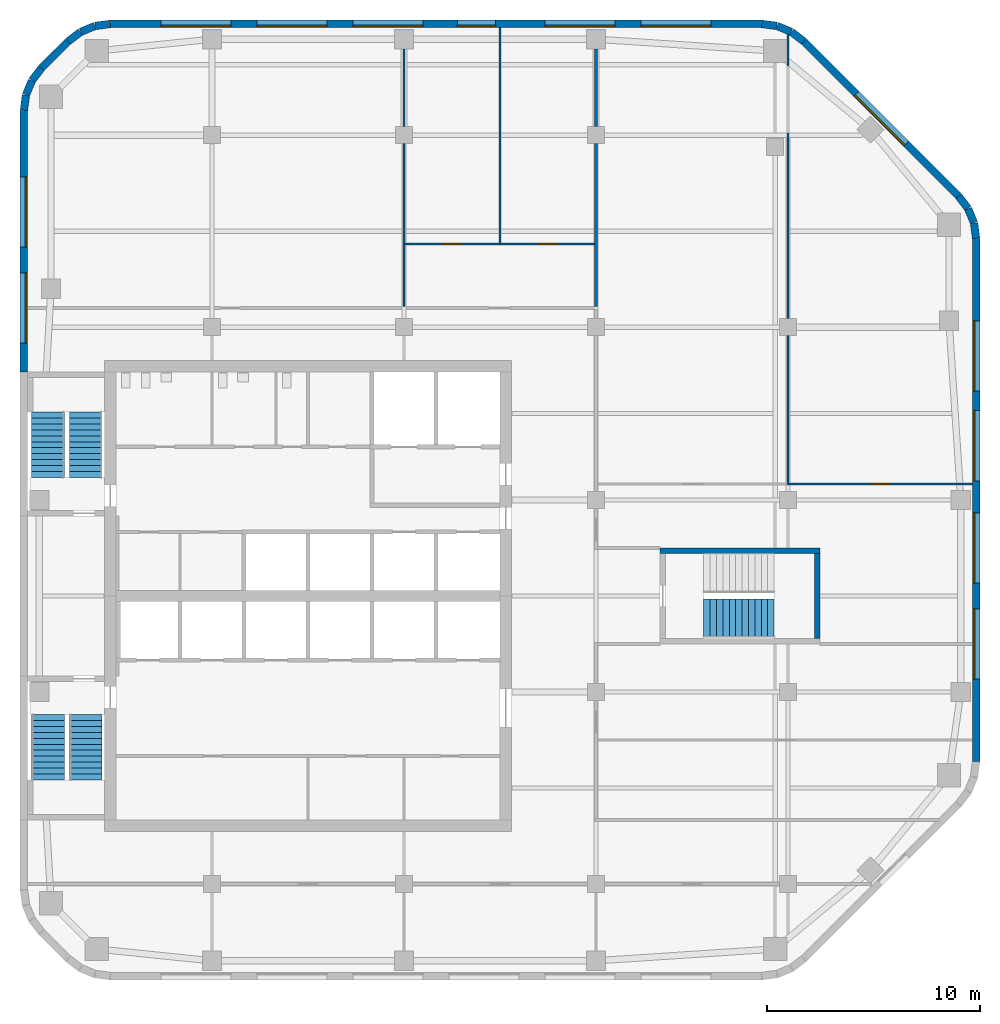
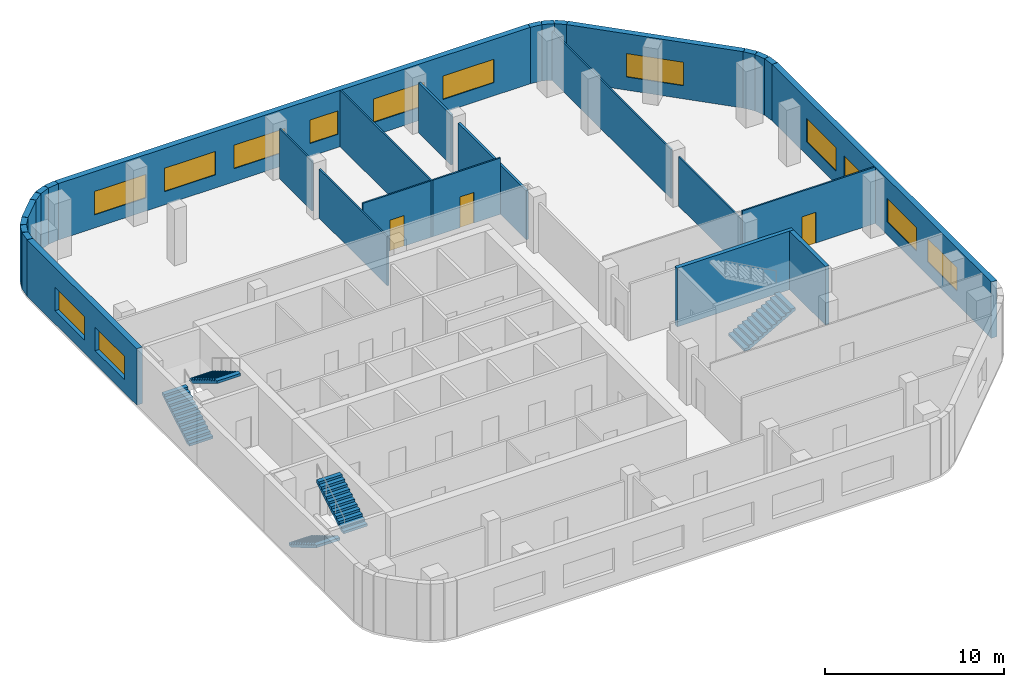
# One storey, part 5 of 8: 29 walls, 13 windows, 5 stair flights, 3 doors, 16 openings, 3 elements without a shape of their own.
"""IFC4 building model written with IfcOpenShell, lengths in metres."""

from ifc_helpers import new_model, si_unit, direction, frame, frame_2d, origin, place, context, subcontext, project, spatial, polyline, rectangle, outline, extrude, material, layer, layer_set, type_object, element, fill, aggregate, save


model = new_model("IFC4")

# Units and contexts
model_context = context("Model", 3, precision=1e-05, world=origin(), true_north=direction((0.0, 1.0)))
body_context = subcontext(model_context, "Body", "Model", "MODEL_VIEW")
ifc_project = project(units=[si_unit("LENGTHUNIT", "METRE"), si_unit("AREAUNIT", "SQUARE_METRE"), si_unit("VOLUMEUNIT", "CUBIC_METRE"), si_unit("PLANEANGLEUNIT", "RADIAN"), si_unit("MASSUNIT", "GRAM", prefix="KILO")], contexts=[model_context])

# Site, building, storey
site_placement = place(None, origin())
site = spatial("IfcSite", under=ifc_project, at=site_placement, CompositionType="ELEMENT")
building_placement = place(site_placement, origin())
building = spatial("IfcBuilding", under=site, at=building_placement, Name="Cinnabar Reach Civic Tower", CompositionType="ELEMENT")
storey_placement = place(building_placement, frame((0.0, 0.0, 210.0)))
storey = spatial("IfcBuildingStorey", under=building, at=storey_placement, Name="L50", CompositionType="ELEMENT", Elevation=210.0)

# Walls
ifc_material_1 = material(Name="Facing brick with insulated backing", Category="masonry")
ifc_layer_1 = layer(ifc_material_1, 0.36)
ifc_layer_set_1 = layer_set([ifc_layer_1], Name="Brick corner wall")
wall_type_1 = type_object("IfcWallType", Name="Brick corner wall", PredefinedType="STANDARD", material=ifc_layer_set_1)
for number, where, z_axis, x_axis, name in (
    (1, (44.817, 48.2686, 0.0), (0.0, 0.0, 1.0), (-0.13055608231, 0.99144092581, 0.0), "Brick corner wall"),
    (2, (44.7181, 48.9973, 0.0), (0.0, 0.0, 1.0), (-0.382702709855, 0.923871547278, 0.0), "Brick corner wall"),
):
    element("IfcWall", number, at=place(storey_placement, frame(where, z_axis=z_axis, x_axis=x_axis)), inside=storey, type_object=wall_type_1, Name=name, PredefinedType="STANDARD", context=body_context, shape_type="SweptSolid", body=[
        extrude(rectangle(XDim=0.7131, YDim=0.36, at=frame_2d((0.3565, 0.0))), origin(), (0.0, 0.0, 1.0), 3.85),
    ])
for number, where, z_axis, x_axis, name in (
    (3, (44.434, 49.6755, 0.0), (0.0, 0.0, 1.0), (-0.608802368033, 0.793321924995, 0.0), "Brick corner wall"),
    (4, (36.7413, 57.4998, 0.0), (0.0, 0.0, 1.0), (-0.793321924995, 0.608802368033, 0.0), "Brick corner wall"),
):
    element("IfcWall", number, at=place(storey_placement, frame(where, z_axis=z_axis, x_axis=x_axis)), inside=storey, type_object=wall_type_1, Name=name, PredefinedType="STANDARD", context=body_context, shape_type="SweptSolid", body=[
        extrude(rectangle(XDim=0.7132, YDim=0.36, at=frame_2d((0.3566, 0.0))), origin(), (0.0, 0.0, 1.0), 3.85),
    ])
for number, where, z_axis, x_axis, name in (
    (5, (36.1561, 57.9452, 0.0), (0.0, 0.0, 1.0), (-0.923871547278, 0.382702709855, 0.0), "Brick corner wall"),
    (6, (35.4756, 58.2239, 0.0), (0.0, 0.0, 1.0), (-0.99144092581, 0.13055608231, 0.0), "Brick corner wall"),
    (7, (4.2314, 58.317, 0.0), (0.0, 0.0, 1.0), (-0.99144092581, -0.13055608231, 0.0), "Brick corner wall"),
    (8, (3.5027, 58.2181, 0.0), (0.0, 0.0, 1.0), (-0.923871547278, -0.382702709855, 0.0), "Brick corner wall"),
):
    element("IfcWall", number, at=place(storey_placement, frame(where, z_axis=z_axis, x_axis=x_axis)), inside=storey, type_object=wall_type_1, Name=name, PredefinedType="STANDARD", context=body_context, shape_type="SweptSolid", body=[
        extrude(rectangle(XDim=0.7131, YDim=0.36, at=frame_2d((0.3565, 0.0))), origin(), (0.0, 0.0, 1.0), 3.85),
    ])
for number, where, z_axis, x_axis, name in (
    (9, (2.8245, 57.934, 0.0), (0.0, 0.0, 1.0), (-0.793321924995, -0.608802368033, 0.0), "Brick corner wall"),
    (10, (1.0002, 56.2413, 0.0), (0.0, 0.0, 1.0), (-0.608802368033, -0.793321924995, 0.0), "Brick corner wall"),
):
    element("IfcWall", number, at=place(storey_placement, frame(where, z_axis=z_axis, x_axis=x_axis)), inside=storey, type_object=wall_type_1, Name=name, PredefinedType="STANDARD", context=body_context, shape_type="SweptSolid", body=[
        extrude(rectangle(XDim=0.7132, YDim=0.36, at=frame_2d((0.3566, 0.0))), origin(), (0.0, 0.0, 1.0), 3.85),
    ])
for number, where, z_axis, x_axis, name in (
    (11, (0.5548, 55.6561, 0.0), (0.0, 0.0, 1.0), (-0.382702709855, -0.923871547278, 0.0), "Brick corner wall"),
    (12, (0.2761, 54.9756, 0.0), (0.0, 0.0, 1.0), (-0.13055608231, -0.99144092581, 0.0), "Brick corner wall"),
):
    element("IfcWall", number, at=place(storey_placement, frame(where, z_axis=z_axis, x_axis=x_axis)), inside=storey, type_object=wall_type_1, Name=name, PredefinedType="STANDARD", context=body_context, shape_type="SweptSolid", body=[
        extrude(rectangle(XDim=0.7131, YDim=0.36, at=frame_2d((0.3565, 0.0))), origin(), (0.0, 0.0, 1.0), 3.85),
    ])

# Wall, openings, windows
ifc_layer_2 = layer(ifc_material_1, 0.36)
ifc_layer_set_2 = layer_set([ifc_layer_2], Name="Brick pier and spandrel wall")
wall_type_2 = type_object("IfcWallType", Name="Brick pier and spandrel wall", PredefinedType="STANDARD", material=ifc_layer_set_2)
wall_1_placement = place(storey_placement, frame((44.82, 23.7426, 0.0), z_axis=(0.0, 0.0, 1.0), x_axis=(0.0, 1.0, 0.0)))
wall_1 = element("IfcWall", 13, at=wall_1_placement, inside=storey, type_object=wall_type_2, Name="Brick facade wall", PredefinedType="STANDARD", context=body_context, shape_type="SweptSolid", body=[
    extrude(rectangle(XDim=24.5148, YDim=0.36, at=frame_2d((12.2574, 0.0))), origin(), (0.0, 0.0, 1.0), 3.85),
])
opening_1_placement = place(wall_1_placement, frame((3.8574, 0.0, 0.9)))
opening_1 = element("IfcOpeningElement", 14, at=opening_1_placement, cuts=wall_1, Name="Opening W2027", PredefinedType="OPENING", context=body_context, shape_type="SweptSolid", body=[
    extrude(rectangle(XDim=3.3, YDim=1.6, at=frame_2d((1.65, 0.8))), frame((0.0, 0.19, 0.0), z_axis=(0.0, -1.0, 0.0), x_axis=(1.0, 0.0, 0.0)), (0.0, 0.0, 1.0), 0.38),
])
opening_2_placement = place(wall_1_placement, frame((8.3574, 0.0, 0.9)))
opening_2 = element("IfcOpeningElement", 15, at=opening_2_placement, cuts=wall_1, Name="Opening W2028", PredefinedType="OPENING", context=body_context, shape_type="SweptSolid", body=[
    extrude(rectangle(XDim=3.3, YDim=1.6, at=frame_2d((1.65, 0.8))), frame((0.0, 0.19, 0.0), z_axis=(0.0, -1.0, 0.0), x_axis=(1.0, 0.0, 0.0)), (0.0, 0.0, 1.0), 0.38),
])
opening_3_placement = place(wall_1_placement, frame((13.1574, 0.0, 0.9)))
opening_3 = element("IfcOpeningElement", 16, at=opening_3_placement, cuts=wall_1, Name="Opening W2029", PredefinedType="OPENING", context=body_context, shape_type="SweptSolid", body=[
    extrude(rectangle(XDim=3.3, YDim=1.6, at=frame_2d((1.65, 0.8))), frame((0.0, 0.19, 0.0), z_axis=(0.0, -1.0, 0.0), x_axis=(1.0, 0.0, 0.0)), (0.0, 0.0, 1.0), 0.38),
])
opening_4_placement = place(wall_1_placement, frame((17.3574, 0.0, 0.9)))
opening_4 = element("IfcOpeningElement", 17, at=opening_4_placement, cuts=wall_1, Name="Opening W2030", PredefinedType="OPENING", context=body_context, shape_type="SweptSolid", body=[
    extrude(rectangle(XDim=3.3, YDim=1.6, at=frame_2d((1.65, 0.8))), frame((0.0, 0.19, 0.0), z_axis=(0.0, -1.0, 0.0), x_axis=(1.0, 0.0, 0.0)), (0.0, 0.0, 1.0), 0.38),
])
ifc_material_2 = material(Name="Clear double glazing in aluminium frame", Category="aluminium")
window_type_1 = type_object("IfcWindowType", Name="Deep-set window A", PartitioningType="SINGLE_PANEL", PredefinedType="WINDOW", material=ifc_material_2)
window_1_placement = place(opening_1_placement, origin())
window_1 = element("IfcWindow", 18, at=window_1_placement, inside=storey, type_object=window_type_1, Name="Window east face", OverallHeight=1.6, OverallWidth=3.3, PartitioningType="SINGLE_PANEL", PredefinedType="WINDOW", context=body_context, shape_type="SweptSolid", body=[
    extrude(rectangle(XDim=3.3, YDim=1.6, at=frame_2d((1.65, 0.8))), frame((0.0, 0.13, 0.0), z_axis=(0.0, -1.0, 0.0), x_axis=(1.0, 0.0, 0.0)), (0.0, 0.0, 1.0), 0.06),
])
fill(opening_1, window_1)
window_2_placement = place(opening_2_placement, origin())
window_2 = element("IfcWindow", 19, at=window_2_placement, inside=storey, type_object=window_type_1, Name="Window east face", OverallHeight=1.6, OverallWidth=3.3, PartitioningType="SINGLE_PANEL", PredefinedType="WINDOW", context=body_context, shape_type="SweptSolid", body=[
    extrude(rectangle(XDim=3.3, YDim=1.6, at=frame_2d((1.65, 0.8))), frame((0.0, 0.13, 0.0), z_axis=(0.0, -1.0, 0.0), x_axis=(1.0, 0.0, 0.0)), (0.0, 0.0, 1.0), 0.06),
])
fill(opening_2, window_2)
window_3_placement = place(opening_3_placement, origin())
window_3 = element("IfcWindow", 20, at=window_3_placement, inside=storey, type_object=window_type_1, Name="Window east face", OverallHeight=1.6, OverallWidth=3.3, PartitioningType="SINGLE_PANEL", PredefinedType="WINDOW", context=body_context, shape_type="SweptSolid", body=[
    extrude(rectangle(XDim=3.3, YDim=1.6, at=frame_2d((1.65, 0.8))), frame((0.0, 0.13, 0.0), z_axis=(0.0, -1.0, 0.0), x_axis=(1.0, 0.0, 0.0)), (0.0, 0.0, 1.0), 0.06),
])
fill(opening_3, window_3)
window_4_placement = place(opening_4_placement, origin())
window_4 = element("IfcWindow", 21, at=window_4_placement, inside=storey, type_object=window_type_1, Name="Window east face", OverallHeight=1.6, OverallWidth=3.3, PartitioningType="SINGLE_PANEL", PredefinedType="WINDOW", context=body_context, shape_type="SweptSolid", body=[
    extrude(rectangle(XDim=3.3, YDim=1.6, at=frame_2d((1.65, 0.8))), frame((0.0, 0.13, 0.0), z_axis=(0.0, -1.0, 0.0), x_axis=(1.0, 0.0, 0.0)), (0.0, 0.0, 1.0), 0.06),
])
fill(opening_4, window_4)

# Wall, opening, window
wall_2_placement = place(storey_placement, frame((43.994, 50.2514, 0.0), z_axis=(0.0, 0.0, 1.0), x_axis=(-0.707106781187, 0.707106781187, 0.0)))
wall_2 = element("IfcWall", 22, at=wall_2_placement, inside=storey, type_object=wall_type_2, Name="Brick facade wall", PredefinedType="STANDARD", context=body_context, shape_type="SweptSolid", body=[
    extrude(rectangle(XDim=10.2426, YDim=0.36, at=frame_2d((5.1213, 0.0))), origin(), (0.0, 0.0, 1.0), 3.85),
])
opening_5_placement = place(wall_2_placement, frame((3.4713, 0.0, 0.9)))
opening_5 = element("IfcOpeningElement", 23, at=opening_5_placement, cuts=wall_2, Name="Opening W2031", PredefinedType="OPENING", context=body_context, shape_type="SweptSolid", body=[
    extrude(rectangle(XDim=3.3, YDim=1.6, at=frame_2d((1.65, 0.8))), frame((0.0, 0.19, 0.0), z_axis=(0.0, -1.0, 0.0), x_axis=(1.0, 0.0, 0.0)), (0.0, 0.0, 1.0), 0.38),
])
window_5_placement = place(opening_5_placement, origin())
window_5 = element("IfcWindow", 24, at=window_5_placement, inside=storey, type_object=window_type_1, Name="Window northeast face", OverallHeight=1.6, OverallWidth=3.3, PartitioningType="SINGLE_PANEL", PredefinedType="WINDOW", context=body_context, shape_type="SweptSolid", body=[
    extrude(rectangle(XDim=3.3, YDim=1.6, at=frame_2d((1.65, 0.8))), frame((0.0, 0.13, 0.0), z_axis=(0.0, -1.0, 0.0), x_axis=(1.0, 0.0, 0.0)), (0.0, 0.0, 1.0), 0.06),
])
fill(opening_5, window_5)

# Wall, openings, windows
wall_3_placement = place(storey_placement, frame((34.7574, 58.32, 0.0), z_axis=(0.0, 0.0, 1.0), x_axis=(-1.0, 0.0, 0.0)))
wall_3 = element("IfcWall", 25, at=wall_3_placement, inside=storey, type_object=wall_type_2, Name="Brick facade wall", PredefinedType="STANDARD", context=body_context, shape_type="SweptSolid", body=[
    extrude(rectangle(XDim=30.5148, YDim=0.36, at=frame_2d((15.2574, 0.0))), origin(), (0.0, 0.0, 1.0), 3.85),
])
opening_6_placement = place(wall_3_placement, frame((2.3574, 0.0, 0.9)))
opening_6 = element("IfcOpeningElement", 26, at=opening_6_placement, cuts=wall_3, Name="Opening W2032", PredefinedType="OPENING", context=body_context, shape_type="SweptSolid", body=[
    extrude(rectangle(XDim=3.3, YDim=1.6, at=frame_2d((1.65, 0.8))), frame((0.0, 0.19, 0.0), z_axis=(0.0, -1.0, 0.0), x_axis=(1.0, 0.0, 0.0)), (0.0, 0.0, 1.0), 0.38),
])
opening_7_placement = place(wall_3_placement, frame((6.8574, 0.0, 0.9)))
opening_7 = element("IfcOpeningElement", 27, at=opening_7_placement, cuts=wall_3, Name="Opening W2033", PredefinedType="OPENING", context=body_context, shape_type="SweptSolid", body=[
    extrude(rectangle(XDim=3.3, YDim=1.6, at=frame_2d((1.65, 0.8))), frame((0.0, 0.19, 0.0), z_axis=(0.0, -1.0, 0.0), x_axis=(1.0, 0.0, 0.0)), (0.0, 0.0, 1.0), 0.38),
])
opening_8_placement = place(wall_3_placement, frame((12.4574, 0.0, 0.9)))
opening_8 = element("IfcOpeningElement", 28, at=opening_8_placement, cuts=wall_3, Name="Opening W2034", PredefinedType="OPENING", context=body_context, shape_type="SweptSolid", body=[
    extrude(rectangle(XDim=1.8, YDim=1.6, at=frame_2d((0.9, 0.8))), frame((0.0, 0.19, 0.0), z_axis=(0.0, -1.0, 0.0), x_axis=(1.0, 0.0, 0.0)), (0.0, 0.0, 1.0), 0.38),
])
opening_9_placement = place(wall_3_placement, frame((15.8574, 0.0, 0.9)))
opening_9 = element("IfcOpeningElement", 29, at=opening_9_placement, cuts=wall_3, Name="Opening W2035", PredefinedType="OPENING", context=body_context, shape_type="SweptSolid", body=[
    extrude(rectangle(XDim=3.3, YDim=1.6, at=frame_2d((1.65, 0.8))), frame((0.0, 0.19, 0.0), z_axis=(0.0, -1.0, 0.0), x_axis=(1.0, 0.0, 0.0)), (0.0, 0.0, 1.0), 0.38),
])
opening_10_placement = place(wall_3_placement, frame((20.3574, 0.0, 0.9)))
opening_10 = element("IfcOpeningElement", 30, at=opening_10_placement, cuts=wall_3, Name="Opening W2036", PredefinedType="OPENING", context=body_context, shape_type="SweptSolid", body=[
    extrude(rectangle(XDim=3.3, YDim=1.6, at=frame_2d((1.65, 0.8))), frame((0.0, 0.19, 0.0), z_axis=(0.0, -1.0, 0.0), x_axis=(1.0, 0.0, 0.0)), (0.0, 0.0, 1.0), 0.38),
])
opening_11_placement = place(wall_3_placement, frame((24.8574, 0.0, 0.9)))
opening_11 = element("IfcOpeningElement", 31, at=opening_11_placement, cuts=wall_3, Name="Opening W2037", PredefinedType="OPENING", context=body_context, shape_type="SweptSolid", body=[
    extrude(rectangle(XDim=3.3, YDim=1.6, at=frame_2d((1.65, 0.8))), frame((0.0, 0.19, 0.0), z_axis=(0.0, -1.0, 0.0), x_axis=(1.0, 0.0, 0.0)), (0.0, 0.0, 1.0), 0.38),
])
window_6_placement = place(opening_6_placement, origin())
window_6 = element("IfcWindow", 32, at=window_6_placement, inside=storey, type_object=window_type_1, Name="Window north face", OverallHeight=1.6, OverallWidth=3.3, PartitioningType="SINGLE_PANEL", PredefinedType="WINDOW", context=body_context, shape_type="SweptSolid", body=[
    extrude(rectangle(XDim=3.3, YDim=1.6, at=frame_2d((1.65, 0.8))), frame((0.0, 0.13, 0.0), z_axis=(0.0, -1.0, 0.0), x_axis=(1.0, 0.0, 0.0)), (0.0, 0.0, 1.0), 0.06),
])
fill(opening_6, window_6)
window_7_placement = place(opening_7_placement, origin())
window_7 = element("IfcWindow", 33, at=window_7_placement, inside=storey, type_object=window_type_1, Name="Window north face", OverallHeight=1.6, OverallWidth=3.3, PartitioningType="SINGLE_PANEL", PredefinedType="WINDOW", context=body_context, shape_type="SweptSolid", body=[
    extrude(rectangle(XDim=3.3, YDim=1.6, at=frame_2d((1.65, 0.8))), frame((0.0, 0.13, 0.0), z_axis=(0.0, -1.0, 0.0), x_axis=(1.0, 0.0, 0.0)), (0.0, 0.0, 1.0), 0.06),
])
fill(opening_7, window_7)
window_8_placement = place(opening_9_placement, origin())
window_8 = element("IfcWindow", 34, at=window_8_placement, inside=storey, type_object=window_type_1, Name="Window north face", OverallHeight=1.6, OverallWidth=3.3, PartitioningType="SINGLE_PANEL", PredefinedType="WINDOW", context=body_context, shape_type="SweptSolid", body=[
    extrude(rectangle(XDim=3.3, YDim=1.6, at=frame_2d((1.65, 0.8))), frame((0.0, 0.13, 0.0), z_axis=(0.0, -1.0, 0.0), x_axis=(1.0, 0.0, 0.0)), (0.0, 0.0, 1.0), 0.06),
])
fill(opening_9, window_8)
window_9_placement = place(opening_10_placement, origin())
window_9 = element("IfcWindow", 35, at=window_9_placement, inside=storey, type_object=window_type_1, Name="Window north face", OverallHeight=1.6, OverallWidth=3.3, PartitioningType="SINGLE_PANEL", PredefinedType="WINDOW", context=body_context, shape_type="SweptSolid", body=[
    extrude(rectangle(XDim=3.3, YDim=1.6, at=frame_2d((1.65, 0.8))), frame((0.0, 0.13, 0.0), z_axis=(0.0, -1.0, 0.0), x_axis=(1.0, 0.0, 0.0)), (0.0, 0.0, 1.0), 0.06),
])
fill(opening_10, window_9)
window_10_placement = place(opening_11_placement, origin())
window_10 = element("IfcWindow", 36, at=window_10_placement, inside=storey, type_object=window_type_1, Name="Window north face", OverallHeight=1.6, OverallWidth=3.3, PartitioningType="SINGLE_PANEL", PredefinedType="WINDOW", context=body_context, shape_type="SweptSolid", body=[
    extrude(rectangle(XDim=3.3, YDim=1.6, at=frame_2d((1.65, 0.8))), frame((0.0, 0.13, 0.0), z_axis=(0.0, -1.0, 0.0), x_axis=(1.0, 0.0, 0.0)), (0.0, 0.0, 1.0), 0.06),
])
fill(opening_11, window_10)
window_type_2 = type_object("IfcWindowType", Name="Deep-set window D", PartitioningType="SINGLE_PANEL", PredefinedType="WINDOW", material=ifc_material_2)
window_11_placement = place(opening_8_placement, origin())
window_11 = element("IfcWindow", 37, at=window_11_placement, inside=storey, type_object=window_type_2, Name="Window north face", OverallHeight=1.6, OverallWidth=1.8, PartitioningType="SINGLE_PANEL", PredefinedType="WINDOW", context=body_context, shape_type="SweptSolid", body=[
    extrude(rectangle(XDim=1.8, YDim=1.6, at=frame_2d((0.9, 0.8))), frame((0.0, 0.13, 0.0), z_axis=(0.0, -1.0, 0.0), x_axis=(1.0, 0.0, 0.0)), (0.0, 0.0, 1.0), 0.06),
])
fill(opening_8, window_11)

# Wall
wall_4_placement = place(storey_placement, frame((2.2486, 57.494, 0.0), z_axis=(0.0, 0.0, 1.0), x_axis=(-0.707106781187, -0.707106781187, 0.0)))
element("IfcWall", 38, at=wall_4_placement, inside=storey, type_object=wall_type_2, Name="Brick facade wall", PredefinedType="STANDARD", context=body_context, shape_type="SweptSolid", body=[
    extrude(rectangle(XDim=1.7573, YDim=0.36, at=frame_2d((0.8787, 0.0))), origin(), (0.0, 0.0, 1.0), 3.85),
])

# Wall, openings, windows
wall_5_placement = place(storey_placement, frame((0.18, 54.2574, 0.0), z_axis=(0.0, 0.0, 1.0), x_axis=(0.0, -1.0, 0.0)))
wall_5 = element("IfcWall", 39, at=wall_5_placement, inside=storey, type_object=wall_type_2, Name="Brick facade wall", PredefinedType="STANDARD", context=body_context, shape_type="SweptSolid", body=[
    extrude(rectangle(XDim=12.2574, YDim=0.36, at=frame_2d((6.1287, 0.0))), origin(), (0.0, 0.0, 1.0), 3.85),
])
opening_12_placement = place(wall_5_placement, frame((3.1074, 0.0, 0.9)))
opening_12 = element("IfcOpeningElement", 40, at=opening_12_placement, cuts=wall_5, Name="Opening W2038", PredefinedType="OPENING", context=body_context, shape_type="SweptSolid", body=[
    extrude(rectangle(XDim=3.3, YDim=1.6, at=frame_2d((1.65, 0.8))), frame((0.0, 0.19, 0.0), z_axis=(0.0, -1.0, 0.0), x_axis=(1.0, 0.0, 0.0)), (0.0, 0.0, 1.0), 0.38),
])
opening_13_placement = place(wall_5_placement, frame((7.6074, 0.0, 0.9)))
opening_13 = element("IfcOpeningElement", 41, at=opening_13_placement, cuts=wall_5, Name="Opening W2039", PredefinedType="OPENING", context=body_context, shape_type="SweptSolid", body=[
    extrude(rectangle(XDim=3.3, YDim=1.6, at=frame_2d((1.65, 0.8))), frame((0.0, 0.19, 0.0), z_axis=(0.0, -1.0, 0.0), x_axis=(1.0, 0.0, 0.0)), (0.0, 0.0, 1.0), 0.38),
])
window_12_placement = place(opening_12_placement, origin())
window_12 = element("IfcWindow", 42, at=window_12_placement, inside=storey, type_object=window_type_1, Name="Window west face", OverallHeight=1.6, OverallWidth=3.3, PartitioningType="SINGLE_PANEL", PredefinedType="WINDOW", context=body_context, shape_type="SweptSolid", body=[
    extrude(rectangle(XDim=3.3, YDim=1.6, at=frame_2d((1.65, 0.8))), frame((0.0, 0.13, 0.0), z_axis=(0.0, -1.0, 0.0), x_axis=(1.0, 0.0, 0.0)), (0.0, 0.0, 1.0), 0.06),
])
fill(opening_12, window_12)
window_13_placement = place(opening_13_placement, origin())
window_13 = element("IfcWindow", 43, at=window_13_placement, inside=storey, type_object=window_type_1, Name="Window west face", OverallHeight=1.6, OverallWidth=3.3, PartitioningType="SINGLE_PANEL", PredefinedType="WINDOW", context=body_context, shape_type="SweptSolid", body=[
    extrude(rectangle(XDim=3.3, YDim=1.6, at=frame_2d((1.65, 0.8))), frame((0.0, 0.13, 0.0), z_axis=(0.0, -1.0, 0.0), x_axis=(1.0, 0.0, 0.0)), (0.0, 0.0, 1.0), 0.06),
])
fill(opening_13, window_13)

# Walls
ifc_material_3 = material(Name="Gypsum board on steel studs", Category="steel")
ifc_layer_3 = layer(ifc_material_3, 0.1)
ifc_layer_set_3 = layer_set([ifc_layer_3], Name="Partition wall 100 T1")
wall_type_3 = type_object("IfcWallType", Name="Partition wall 100 T1", PredefinedType="PARTITIONING", material=ifc_layer_set_3)
wall_6_placement = place(storey_placement, frame((36.0, 36.7, 0.0), z_axis=(0.0, 0.0, 1.0), x_axis=(0.0, 1.0, 0.0)))
element("IfcWall", 44, at=wall_6_placement, inside=storey, type_object=wall_type_3, Name="Partition wall 42", PredefinedType="PARTITIONING", context=body_context, shape_type="SweptSolid", body=[
    extrude(rectangle(XDim=7.0, YDim=0.1, at=frame_2d((3.5, 0.0))), origin(), (0.0, 0.0, 1.0), 3.35),
])
wall_7_placement = place(storey_placement, frame((36.0, 44.5, 0.0), z_axis=(0.0, 0.0, 1.0), x_axis=(0.0, 1.0, 0.0)))
element("IfcWall", 45, at=wall_7_placement, inside=storey, type_object=wall_type_3, Name="Partition wall 43", PredefinedType="PARTITIONING", context=body_context, shape_type="SweptSolid", body=[
    extrude(rectangle(XDim=13.315, YDim=0.1, at=frame_2d((6.6575, 0.0))), origin(), (0.0, 0.0, 1.0), 3.35),
])

# Wall, opening, door
wall_8_placement = place(storey_placement, frame((36.05, 36.75, 0.0), z_axis=(0.0, 0.0, 1.0), x_axis=(1.0, 0.0, 0.0)))
wall_8 = element("IfcWall", 46, at=wall_8_placement, inside=storey, type_object=wall_type_3, Name="Partition wall 46", PredefinedType="PARTITIONING", context=body_context, shape_type="SweptSolid", body=[
    extrude(rectangle(XDim=8.59, YDim=0.1, at=frame_2d((4.295, 0.0))), origin(), (0.0, 0.0, 1.0), 3.85),
])
opening_14_placement = place(wall_8_placement, frame((3.85, 0.0, 0.0)))
opening_14 = element("IfcOpeningElement", 47, at=opening_14_placement, cuts=wall_8, Name="Opening D5061", PredefinedType="OPENING", context=body_context, shape_type="SweptSolid", body=[
    extrude(rectangle(XDim=0.9, YDim=2.1, at=frame_2d((0.45, 1.05))), frame((0.0, 0.06, 0.0), z_axis=(0.0, -1.0, 0.0), x_axis=(1.0, 0.0, 0.0)), (0.0, 0.0, 1.0), 0.12),
])
ifc_material_4 = material(Name="Timber door leaf in steel frame", Category="steel")
door_type = type_object("IfcDoorType", Name="Single swing door 900 x 2100 T1", OperationType="SINGLE_SWING_LEFT", PredefinedType="DOOR", material=ifc_material_4)
door_1_placement = place(opening_14_placement, frame((0.9, 0.0, 0.0), z_axis=(0.0, 0.0, 1.0), x_axis=(-1.0, 0.0, 0.0)))
door_1 = element("IfcDoor", 48, at=door_1_placement, inside=storey, type_object=door_type, Name="Door D5061", OperationType="SINGLE_SWING_LEFT", OverallHeight=2.1, OverallWidth=0.9, PredefinedType="DOOR", context=body_context, shape_type="SweptSolid", body=[
    extrude(rectangle(XDim=0.9, YDim=2.1, at=frame_2d((0.45, 1.05))), frame((0.0, 0.025, 0.0), z_axis=(0.0, -1.0, 0.0), x_axis=(1.0, 0.0, 0.0)), (0.0, 0.0, 1.0), 0.05),
])
fill(opening_14, door_1)

# Walls
wall_9_placement = place(storey_placement, frame((18.0, 45.075, 0.0), z_axis=(0.0, 0.0, 1.0), x_axis=(0.0, 1.0, 0.0)))
element("IfcWall", 49, at=wall_9_placement, inside=storey, type_object=wall_type_3, Name="Partition wall 47", PredefinedType="PARTITIONING", context=body_context, shape_type="SweptSolid", body=[
    extrude(rectangle(XDim=7.625, YDim=0.1, at=frame_2d((3.8125, 0.0))), origin(), (0.0, 0.0, 1.0), 3.35),
])
wall_10_placement = place(storey_placement, frame((18.0, 53.5, 0.0), z_axis=(0.0, 0.0, 1.0), x_axis=(0.0, 1.0, 0.0)))
element("IfcWall", 50, at=wall_10_placement, inside=storey, type_object=wall_type_3, Name="Partition wall 48", PredefinedType="PARTITIONING", context=body_context, shape_type="SweptSolid", body=[
    extrude(rectangle(XDim=3.65, YDim=0.1, at=frame_2d((1.825, 0.0))), origin(), (0.0, 0.0, 1.0), 3.41),
])
wall_11_placement = place(storey_placement, frame((22.5, 47.95, 0.0), z_axis=(0.0, 0.0, 1.0), x_axis=(0.0, 1.0, 0.0)))
element("IfcWall", 51, at=wall_11_placement, inside=storey, type_object=wall_type_3, Name="Partition wall 49", PredefinedType="PARTITIONING", context=body_context, shape_type="SweptSolid", body=[
    extrude(rectangle(XDim=10.19, YDim=0.1, at=frame_2d((5.095, 0.0))), origin(), (0.0, 0.0, 1.0), 3.85),
])

# Wall, opening, door
wall_12_placement = place(storey_placement, frame((18.05, 48.0, 0.0), z_axis=(0.0, 0.0, 1.0), x_axis=(1.0, 0.0, 0.0)))
wall_12 = element("IfcWall", 52, at=wall_12_placement, inside=storey, type_object=wall_type_3, Name="Partition wall 50", PredefinedType="PARTITIONING", context=body_context, shape_type="SweptSolid", body=[
    extrude(rectangle(XDim=4.4, YDim=0.1, at=frame_2d((2.2, 0.0))), origin(), (0.0, 0.0, 1.0), 3.85),
])
opening_15_placement = place(wall_12_placement, frame((1.75, 0.0, 0.0)))
opening_15 = element("IfcOpeningElement", 53, at=opening_15_placement, cuts=wall_12, Name="Opening D5069", PredefinedType="OPENING", context=body_context, shape_type="SweptSolid", body=[
    extrude(rectangle(XDim=0.9, YDim=2.1, at=frame_2d((0.45, 1.05))), frame((0.0, 0.06, 0.0), z_axis=(0.0, -1.0, 0.0), x_axis=(1.0, 0.0, 0.0)), (0.0, 0.0, 1.0), 0.12),
])
door_2_placement = place(opening_15_placement, frame((0.9, 0.0, 0.0), z_axis=(0.0, 0.0, 1.0), x_axis=(-1.0, 0.0, 0.0)))
door_2 = element("IfcDoor", 54, at=door_2_placement, inside=storey, type_object=door_type, Name="Door D5069", OperationType="SINGLE_SWING_LEFT", OverallHeight=2.1, OverallWidth=0.9, PredefinedType="DOOR", context=body_context, shape_type="SweptSolid", body=[
    extrude(rectangle(XDim=0.9, YDim=2.1, at=frame_2d((0.45, 1.05))), frame((0.0, 0.025, 0.0), z_axis=(0.0, -1.0, 0.0), x_axis=(1.0, 0.0, 0.0)), (0.0, 0.0, 1.0), 0.05),
])
fill(opening_15, door_2)

wall_13_placement = place(storey_placement, frame((22.55, 48.0, 0.0), z_axis=(0.0, 0.0, 1.0), x_axis=(1.0, 0.0, 0.0)))
wall_13 = element("IfcWall", 55, at=wall_13_placement, inside=storey, type_object=wall_type_3, Name="Partition wall 51", PredefinedType="PARTITIONING", context=body_context, shape_type="SweptSolid", body=[
    extrude(rectangle(XDim=4.375, YDim=0.1, at=frame_2d((2.1875, 0.0))), origin(), (0.0, 0.0, 1.0), 3.85),
])
opening_16_placement = place(wall_13_placement, frame((1.75, 0.0, 0.0)))
opening_16 = element("IfcOpeningElement", 56, at=opening_16_placement, cuts=wall_13, Name="Opening D5070", PredefinedType="OPENING", context=body_context, shape_type="SweptSolid", body=[
    extrude(rectangle(XDim=0.9, YDim=2.1, at=frame_2d((0.45, 1.05))), frame((0.0, 0.06, 0.0), z_axis=(0.0, -1.0, 0.0), x_axis=(1.0, 0.0, 0.0)), (0.0, 0.0, 1.0), 0.12),
])
door_3_placement = place(opening_16_placement, frame((0.9, 0.0, 0.0), z_axis=(0.0, 0.0, 1.0), x_axis=(-1.0, 0.0, 0.0)))
door_3 = element("IfcDoor", 57, at=door_3_placement, inside=storey, type_object=door_type, Name="Door D5070", OperationType="SINGLE_SWING_RIGHT", OverallHeight=2.1, OverallWidth=0.9, PredefinedType="DOOR", context=body_context, shape_type="SweptSolid", body=[
    extrude(rectangle(XDim=0.9, YDim=2.1, at=frame_2d((0.45, 1.05))), frame((0.0, 0.025, 0.0), z_axis=(0.0, -1.0, 0.0), x_axis=(1.0, 0.0, 0.0)), (0.0, 0.0, 1.0), 0.05),
])
fill(opening_16, door_3)

# Walls
ifc_material_5 = material(Name="Concrete C60", Category="concrete")
ifc_layer_4 = layer(ifc_material_5, 0.25)
ifc_layer_set_4 = layer_set([ifc_layer_4], Name="Stair shaft wall 250 EI 120")
wall_type_4 = type_object("IfcWallType", Name="Stair shaft wall 250 EI 120", PredefinedType="SOLIDWALL", material=ifc_layer_set_4)
wall_14_placement = place(storey_placement, frame((37.5, 33.625, 0.0), z_axis=(0.0, 0.0, 1.0), x_axis=(-1.0, 0.0, 0.0)))
element("IfcWall", 58, at=wall_14_placement, inside=storey, type_object=wall_type_4, Name="Stair shaft wall T1-S3 L50", PredefinedType="SOLIDWALL", context=body_context, shape_type="SweptSolid", body=[
    extrude(rectangle(XDim=7.5, YDim=0.25, at=frame_2d((3.75, 0.0))), origin(), (0.0, 0.0, 1.0), 4.0),
])
wall_15_placement = place(storey_placement, frame((37.375, 29.5, 0.0), z_axis=(0.0, 0.0, 1.0), x_axis=(0.0, 1.0, 0.0)))
element("IfcWall", 59, at=wall_15_placement, inside=storey, type_object=wall_type_4, Name="Stair shaft wall T1-S3 L50", PredefinedType="SOLIDWALL", context=body_context, shape_type="SweptSolid", body=[
    extrude(rectangle(XDim=4.0, YDim=0.25, at=frame_2d((2.0, 0.0))), origin(), (0.0, 0.0, 1.0), 4.0),
])
ifc_material_6 = material(Name="Gypsum board on steel studs, double layer", Category="steel")
ifc_layer_5 = layer(ifc_material_6, 0.15)
ifc_layer_set_5 = layer_set([ifc_layer_5], Name="Tenancy separating wall 150 T1")
wall_type_5 = type_object("IfcWallType", Name="Tenancy separating wall 150 T1", PredefinedType="PARTITIONING", material=ifc_layer_set_5)
wall_16_placement = place(storey_placement, frame((27.0, 45.075, 0.0), z_axis=(0.0, 0.0, 1.0), x_axis=(0.0, 1.0, 0.0)))
element("IfcWall", 60, at=wall_16_placement, inside=storey, type_object=wall_type_5, Name="Tenancy separating wall 39", PredefinedType="PARTITIONING", context=body_context, shape_type="SweptSolid", body=[
    extrude(rectangle(XDim=7.625, YDim=0.15, at=frame_2d((3.8125, 0.0))), origin(), (0.0, 0.0, 1.0), 3.35),
])
wall_17_placement = place(storey_placement, frame((27.0, 53.5, 0.0), z_axis=(0.0, 0.0, 1.0), x_axis=(0.0, 1.0, 0.0)))
element("IfcWall", 61, at=wall_17_placement, inside=storey, type_object=wall_type_5, Name="Tenancy separating wall 40", PredefinedType="PARTITIONING", context=body_context, shape_type="SweptSolid", body=[
    extrude(rectangle(XDim=3.65, YDim=0.15, at=frame_2d((1.825, 0.0))), origin(), (0.0, 0.0, 1.0), 3.41),
])

# Stair, stair flights
ifc_material_7 = material(Name="Concrete C40/50", Category="concrete")
stair_type = type_object("IfcStairType", Name="T1 Exit stair, half-turn", PredefinedType="HALF_TURN_STAIR", material=ifc_material_7)
stair_1_placement = place(storey_placement, origin())
stair_1 = element("IfcStair", 62, at=stair_1_placement, inside=storey, type_object=stair_type, Name="Stair T1-S1", PredefinedType="HALF_TURN_STAIR")
stair_flight_type = type_object("IfcStairFlightType", Name="T1 Stair flight, concrete", PredefinedType="STRAIGHT", material=ifc_material_7)
stair_flight_1_placement = place(storey_placement, frame((1.3125, 25.95, 0.0), z_axis=(0.0, 0.0, 1.0), x_axis=(0.0, -1.0, 0.0)))
stair_flight_1 = element("IfcStairFlight", 63, at=stair_flight_1_placement, type_object=stair_flight_type, Name="T1-S1 flight 1", NumberOfRisers=12, NumberOfTreads=11, PredefinedType="STRAIGHT", RiserHeight=0.166666667, TreadLength=0.28, context=body_context, shape_type="SweptSolid", body=[
    extrude(outline(polyline([(0.0, 0.0), (0.0, 0.1667), (0.28, 0.1667), (0.28, 0.3333), (0.56, 0.3333), (0.56, 0.5), (0.84, 0.5), (0.84, 0.6667), (1.12, 0.6667), (1.12, 0.8333), (1.4, 0.8333), (1.4, 1.0), (1.68, 1.0), (1.68, 1.1667), (1.96, 1.1667), (1.96, 1.3333), (2.24, 1.3333), (2.24, 1.5), (2.52, 1.5), (2.52, 1.6667), (2.8, 1.6667), (2.8, 1.8333), (3.08, 1.8333), (3.08, 2.0), (3.08, 1.6588), (0.2933, 0.0), (0.0, 0.0)])), frame((0.0, 0.7625, 0.0), z_axis=(0.0, -1.0, 0.0), x_axis=(1.0, 0.0, 0.0)), (0.0, 0.0, 1.0), 1.525),
])
stair_flight_2_placement = place(storey_placement, frame((3.0875, 22.87, 2.0), z_axis=(0.0, 0.0, 1.0), x_axis=(0.0, 1.0, 0.0)))
stair_flight_2 = element("IfcStairFlight", 64, at=stair_flight_2_placement, type_object=stair_flight_type, Name="T1-S1 flight 2", NumberOfRisers=12, NumberOfTreads=11, PredefinedType="STRAIGHT", RiserHeight=0.166666667, TreadLength=0.28, context=body_context, shape_type="SweptSolid", body=[
    extrude(outline(polyline([(0.0, 0.0), (0.0, 0.1667), (0.28, 0.1667), (0.28, 0.3333), (0.56, 0.3333), (0.56, 0.5), (0.84, 0.5), (0.84, 0.6667), (1.12, 0.6667), (1.12, 0.8333), (1.4, 0.8333), (1.4, 1.0), (1.68, 1.0), (1.68, 1.1667), (1.96, 1.1667), (1.96, 1.3333), (2.24, 1.3333), (2.24, 1.5), (2.52, 1.5), (2.52, 1.6667), (2.8, 1.6667), (2.8, 1.8333), (3.08, 1.8333), (3.08, 2.0), (3.08, 1.6588), (0.2933, 0.0), (0.0, 0.0)])), frame((0.0, 0.7625, 0.0), z_axis=(0.0, -1.0, 0.0), x_axis=(1.0, 0.0, 0.0)), (0.0, 0.0, 1.0), 1.525),
])
aggregate(stair_1, [stair_flight_1, stair_flight_2])

stair_2_placement = place(storey_placement, origin())
stair_2 = element("IfcStair", 65, at=stair_2_placement, inside=storey, type_object=stair_type, Name="Stair T1-S2", PredefinedType="HALF_TURN_STAIR")
stair_flight_3_placement = place(storey_placement, frame((1.3125, 37.05, 0.0), z_axis=(0.0, 0.0, 1.0), x_axis=(0.0, 1.0, 0.0)))
stair_flight_3 = element("IfcStairFlight", 66, at=stair_flight_3_placement, type_object=stair_flight_type, Name="T1-S2 flight 1", NumberOfRisers=12, NumberOfTreads=11, PredefinedType="STRAIGHT", RiserHeight=0.166666667, TreadLength=0.28, context=body_context, shape_type="SweptSolid", body=[
    extrude(outline(polyline([(0.0, 0.0), (0.0, 0.1667), (0.28, 0.1667), (0.28, 0.3333), (0.56, 0.3333), (0.56, 0.5), (0.84, 0.5), (0.84, 0.6667), (1.12, 0.6667), (1.12, 0.8333), (1.4, 0.8333), (1.4, 1.0), (1.68, 1.0), (1.68, 1.1667), (1.96, 1.1667), (1.96, 1.3333), (2.24, 1.3333), (2.24, 1.5), (2.52, 1.5), (2.52, 1.6667), (2.8, 1.6667), (2.8, 1.8333), (3.08, 1.8333), (3.08, 2.0), (3.08, 1.6588), (0.2933, 0.0), (0.0, 0.0)])), frame((0.0, 0.7625, 0.0), z_axis=(0.0, -1.0, 0.0), x_axis=(1.0, 0.0, 0.0)), (0.0, 0.0, 1.0), 1.525),
])
stair_flight_4_placement = place(storey_placement, frame((3.0875, 40.13, 2.0), z_axis=(0.0, 0.0, 1.0), x_axis=(0.0, -1.0, 0.0)))
stair_flight_4 = element("IfcStairFlight", 67, at=stair_flight_4_placement, type_object=stair_flight_type, Name="T1-S2 flight 2", NumberOfRisers=12, NumberOfTreads=11, PredefinedType="STRAIGHT", RiserHeight=0.166666667, TreadLength=0.28, context=body_context, shape_type="SweptSolid", body=[
    extrude(outline(polyline([(0.0, 0.0), (0.0, 0.1667), (0.28, 0.1667), (0.28, 0.3333), (0.56, 0.3333), (0.56, 0.5), (0.84, 0.5), (0.84, 0.6667), (1.12, 0.6667), (1.12, 0.8333), (1.4, 0.8333), (1.4, 1.0), (1.68, 1.0), (1.68, 1.1667), (1.96, 1.1667), (1.96, 1.3333), (2.24, 1.3333), (2.24, 1.5), (2.52, 1.5), (2.52, 1.6667), (2.8, 1.6667), (2.8, 1.8333), (3.08, 1.8333), (3.08, 2.0), (3.08, 1.6588), (0.2933, 0.0), (0.0, 0.0)])), frame((0.0, 0.7625, 0.0), z_axis=(0.0, -1.0, 0.0), x_axis=(1.0, 0.0, 0.0)), (0.0, 0.0, 1.0), 1.525),
])
aggregate(stair_2, [stair_flight_3, stair_flight_4])

# Stair, stair flight
stair_3_placement = place(storey_placement, origin())
stair_3 = element("IfcStair", 68, at=stair_3_placement, inside=storey, type_object=stair_type, Name="Stair T1-S3", PredefinedType="HALF_TURN_STAIR")
stair_flight_5_placement = place(storey_placement, frame((32.05, 30.45, 0.0), z_axis=(0.0, 0.0, 1.0), x_axis=(1.0, 0.0, 0.0)))
stair_flight_5 = element("IfcStairFlight", 69, at=stair_flight_5_placement, type_object=stair_flight_type, Name="T1-S3 flight 1", NumberOfRisers=12, NumberOfTreads=11, PredefinedType="STRAIGHT", RiserHeight=0.166666667, TreadLength=0.3, context=body_context, shape_type="SweptSolid", body=[
    extrude(outline(polyline([(0.0, 0.0), (0.0, 0.1667), (0.3, 0.1667), (0.3, 0.3333), (0.6, 0.3333), (0.6, 0.5), (0.9, 0.5), (0.9, 0.6667), (1.2, 0.6667), (1.2, 0.8333), (1.5, 0.8333), (1.5, 1.0), (1.8, 1.0), (1.8, 1.1667), (2.1, 1.1667), (2.1, 1.3333), (2.4, 1.3333), (2.4, 1.5), (2.7, 1.5), (2.7, 1.6667), (3.0, 1.6667), (3.0, 1.8333), (3.3, 1.8333), (3.3, 2.0), (3.3, 1.6617), (0.3089, 0.0), (0.0, 0.0)])), frame((0.0, 0.9, 0.0), z_axis=(0.0, -1.0, 0.0), x_axis=(1.0, 0.0, 0.0)), (0.0, 0.0, 1.0), 1.8),
])
aggregate(stair_3, [stair_flight_5])

save(model, "model.ifc")
